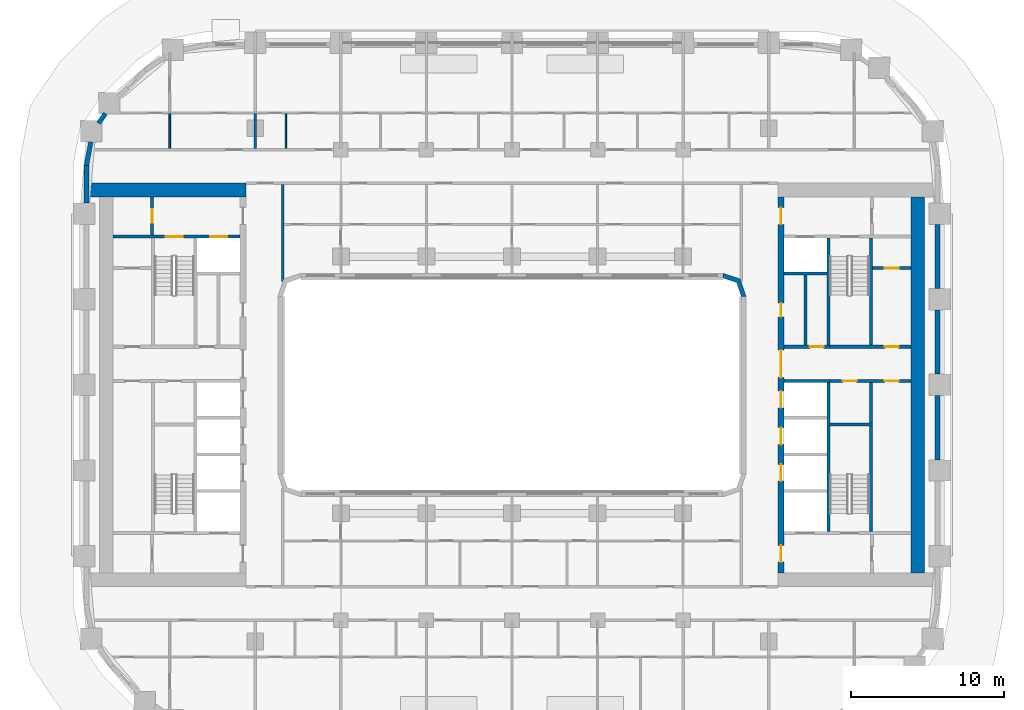
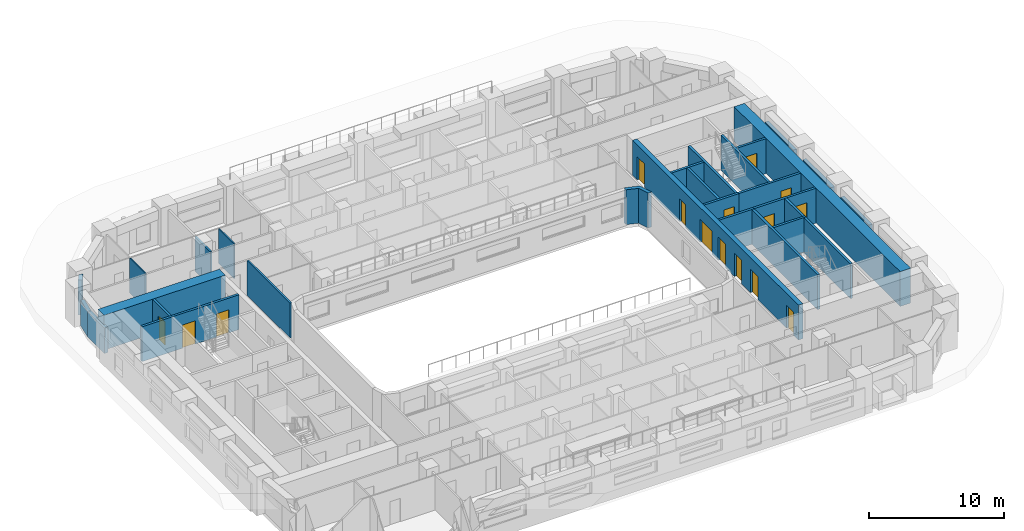
# One storey, part 7 of 18: 29 walls, 15 doors, 15 openings.
"""IFC4 building model written with IfcOpenShell, lengths in metres."""

from ifc_helpers import new_model, si_unit, direction, frame, frame_2d, origin, place, context, subcontext, project, spatial, polyline, rectangle, outline, extrude, material, layer, layer_set, type_object, element, fill, save


model = new_model("IFC4")

# Units and contexts
model_context = context("Model", 3, precision=1e-05, world=origin(), true_north=direction((0.0, 1.0)))
body_context = subcontext(model_context, "Body", "Model", "MODEL_VIEW")
ifc_project = project(units=[si_unit("LENGTHUNIT", "METRE"), si_unit("AREAUNIT", "SQUARE_METRE"), si_unit("VOLUMEUNIT", "CUBIC_METRE"), si_unit("PLANEANGLEUNIT", "RADIAN"), si_unit("MASSUNIT", "GRAM", prefix="KILO")], contexts=[model_context])

# Site, building, storey
site_placement = place(None, origin())
site = spatial("IfcSite", under=ifc_project, at=site_placement, CompositionType="ELEMENT")
building_placement = place(site_placement, origin())
building = spatial("IfcBuilding", under=site, at=building_placement, Name="Kiln Ring Residences", CompositionType="ELEMENT")
storey_placement = place(building_placement, frame((0.0, 0.0, 69.0)))
storey = spatial("IfcBuildingStorey", under=building, at=storey_placement, Name="L17", CompositionType="ELEMENT", Elevation=69.0)

# Wall, opening, door
ifc_material_1 = material(Name="Gypsum board on steel studs", Category="steel")
ifc_layer_1 = layer(ifc_material_1, 0.199951171875)
ifc_layer_set_1 = layer_set([ifc_layer_1], Name="CORE-PARTITION-200")
wall_type_1 = type_object("IfcWallType", Name="CORE-PARTITION-200", PredefinedType="PARTITIONING", material=ifc_layer_set_1)
wall_1_placement = place(storey_placement, frame((-23.550048828125, 9.800048828125, 0.0), z_axis=(0.0, 0.0, 1.0), x_axis=(0.0, 1.0, 0.0)))
wall_1 = element("IfcWall", 1, at=wall_1_placement, inside=storey, type_object=wall_type_1, Name="Core partition west L17 4", PredefinedType="PARTITIONING", context=body_context, shape_type="SweptSolid", body=[
    extrude(rectangle(XDim=2.5, YDim=0.199951171875, at=frame_2d((1.25, 0.0))), origin(), (0.0, 0.0, 1.0), 3.14990234375),
])
opening_1_placement = place(wall_1_placement, frame((0.800048828125, 0.0, 0.0)))
opening_1 = element("IfcOpeningElement", 2, at=opening_1_placement, cuts=wall_1, Name="Opening L17-CW10", PredefinedType="OPENING", context=body_context, shape_type="SweptSolid", body=[
    extrude(rectangle(XDim=0.89990234375, YDim=2.10009765625, at=frame_2d((0.449951171875, 1.050048828125))), frame((0.0, 0.10986328125, 0.0), z_axis=(0.0, -1.0, 0.0), x_axis=(1.0, 0.0, 0.0)), (0.0, 0.0, 1.0), 0.219970703125),
])
ifc_material_2 = material(Name="Steel door leaf", Category="steel")
door_type_1 = type_object("IfcDoorType", Name="CORE-DOOR-ROOM", OperationType="SINGLE_SWING_LEFT", PredefinedType="DOOR", material=ifc_material_2)
door_1_placement = place(opening_1_placement, origin())
door_1 = element("IfcDoor", 3, at=door_1_placement, inside=storey, type_object=door_type_1, Name="Fire riser room L17-CW10", OperationType="SINGLE_SWING_RIGHT", OverallHeight=2.10009765625, OverallWidth=0.89990234375, PredefinedType="DOOR", context=body_context, shape_type="SweptSolid", body=[
    extrude(rectangle(XDim=0.89990234375, YDim=2.10009765625, at=frame_2d((0.449951171875, 1.050048828125))), frame((0.0, 0.02490234375, 0.0), z_axis=(0.0, -1.0, 0.0), x_axis=(1.0, 0.0, 0.0)), (0.0, 0.0, 1.0), 0.050048828125),
])
fill(opening_1, door_1)

# Wall
wall_2_placement = place(storey_placement, frame((23.5, -2.5, 0.0), z_axis=(0.0, 0.0, 1.0), x_axis=(0.0, 1.0, 0.0)))
element("IfcWall", 4, at=wall_2_placement, inside=storey, type_object=wall_type_1, Name="Core partition east L17 1", PredefinedType="PARTITIONING", context=body_context, shape_type="SweptSolid", body=[
    extrude(rectangle(XDim=2.64990234375, YDim=0.199951171875, at=frame_2d((1.324951171875, 0.0))), origin(), (0.0, 0.0, 1.0), 3.14990234375),
])

# Wall, openings, doors
wall_3_placement = place(storey_placement, frame((20.800048828125, 0.25, 0.0), z_axis=(0.0, 0.0, 1.0), x_axis=(1.0, 0.0, 0.0)))
wall_3 = element("IfcWall", 5, at=wall_3_placement, inside=storey, type_object=wall_type_1, Name="Core partition east L17 2", PredefinedType="PARTITIONING", context=body_context, shape_type="SweptSolid", body=[
    extrude(rectangle(XDim=5.300048828125, YDim=0.199951171875, at=frame_2d((2.64990234375, 0.0))), origin(), (0.0, 0.0, 1.0), 3.14990234375),
])
opening_2_placement = place(wall_3_placement, frame((0.85009765625, 0.0, 0.0)))
opening_2 = element("IfcOpeningElement", 6, at=opening_2_placement, cuts=wall_3, Name="Opening L17-CE15", PredefinedType="OPENING", context=body_context, shape_type="SweptSolid", body=[
    extrude(rectangle(XDim=0.89990234375, YDim=2.10009765625, at=frame_2d((0.449951171875, 1.050048828125))), frame((0.0, 0.10986328125, 0.0), z_axis=(0.0, -1.0, 0.0), x_axis=(1.0, 0.0, 0.0)), (0.0, 0.0, 1.0), 0.219970703125),
])
opening_3_placement = place(wall_3_placement, frame((3.60009765625, 0.0, 0.0)))
opening_3 = element("IfcOpeningElement", 7, at=opening_3_placement, cuts=wall_3, Name="Opening L17-CE16", PredefinedType="OPENING", context=body_context, shape_type="SweptSolid", body=[
    extrude(rectangle(XDim=0.89990234375, YDim=2.10009765625, at=frame_2d((0.449951171875, 1.050048828125))), frame((0.0, 0.10986328125, 0.0), z_axis=(0.0, -1.0, 0.0), x_axis=(1.0, 0.0, 0.0)), (0.0, 0.0, 1.0), 0.219970703125),
])
door_2_placement = place(opening_2_placement, origin())
door_2 = element("IfcDoor", 8, at=door_2_placement, inside=storey, type_object=door_type_1, Name="Refuse and recycling room L17-CE15", OperationType="SINGLE_SWING_RIGHT", OverallHeight=2.10009765625, OverallWidth=0.89990234375, PredefinedType="DOOR", context=body_context, shape_type="SweptSolid", body=[
    extrude(rectangle(XDim=0.89990234375, YDim=2.10009765625, at=frame_2d((0.449951171875, 1.050048828125))), frame((0.0, 0.02490234375, 0.0), z_axis=(0.0, -1.0, 0.0), x_axis=(1.0, 0.0, 0.0)), (0.0, 0.0, 1.0), 0.050048828125),
])
fill(opening_2, door_2)
door_3_placement = place(opening_3_placement, origin())
door_3 = element("IfcDoor", 9, at=door_3_placement, inside=storey, type_object=door_type_1, Name="Water tank room L17-CE16", OperationType="SINGLE_SWING_LEFT", OverallHeight=2.10009765625, OverallWidth=0.89990234375, PredefinedType="DOOR", context=body_context, shape_type="SweptSolid", body=[
    extrude(rectangle(XDim=0.89990234375, YDim=2.10009765625, at=frame_2d((0.449951171875, 1.050048828125))), frame((0.0, 0.02490234375, 0.0), z_axis=(0.0, -1.0, 0.0), x_axis=(1.0, 0.0, 0.0)), (0.0, 0.0, 1.0), 0.050048828125),
])
fill(opening_3, door_3)

# Wall
wall_4_placement = place(storey_placement, frame((19.199951171875, 2.60009765625, 0.0), z_axis=(0.0, 0.0, 1.0), x_axis=(0.0, 1.0, 0.0)))
element("IfcWall", 10, at=wall_4_placement, inside=storey, type_object=wall_type_1, Name="Core partition east L17 3", PredefinedType="PARTITIONING", context=body_context, shape_type="SweptSolid", body=[
    extrude(rectangle(XDim=4.599853515625, YDim=0.199951171875, at=frame_2d((2.2998046875, 0.0))), origin(), (0.0, 0.0, 1.0), 3.14990234375),
])

# Wall, opening, door
wall_5_placement = place(storey_placement, frame((23.60009765625, 7.639892578125, 0.0), z_axis=(0.0, 0.0, 1.0), x_axis=(1.0, 0.0, 0.0)))
wall_5 = element("IfcWall", 11, at=wall_5_placement, inside=storey, type_object=wall_type_1, Name="Core partition east L17 6", PredefinedType="PARTITIONING", context=body_context, shape_type="SweptSolid", body=[
    extrude(rectangle(XDim=2.5, YDim=0.199951171875, at=frame_2d((1.25, 0.0))), origin(), (0.0, 0.0, 1.0), 3.14990234375),
])
opening_4_placement = place(wall_5_placement, frame((0.800048828125, 0.0, 0.0)))
opening_4 = element("IfcOpeningElement", 12, at=opening_4_placement, cuts=wall_5, Name="Opening L17-CE17", PredefinedType="OPENING", context=body_context, shape_type="SweptSolid", body=[
    extrude(rectangle(XDim=0.89990234375, YDim=2.10009765625, at=frame_2d((0.449951171875, 1.050048828125))), frame((0.0, 0.10986328125, 0.0), z_axis=(0.0, -1.0, 0.0), x_axis=(1.0, 0.0, 0.0)), (0.0, 0.0, 1.0), 0.219970703125),
])
door_4_placement = place(opening_4_placement, origin())
door_4 = element("IfcDoor", 13, at=door_4_placement, inside=storey, type_object=door_type_1, Name="UPS room L17-CE17", OperationType="SINGLE_SWING_LEFT", OverallHeight=2.10009765625, OverallWidth=0.89990234375, PredefinedType="DOOR", context=body_context, shape_type="SweptSolid", body=[
    extrude(rectangle(XDim=0.89990234375, YDim=2.10009765625, at=frame_2d((0.449951171875, 1.050048828125))), frame((0.0, 0.02490234375, 0.0), z_axis=(0.0, -1.0, 0.0), x_axis=(1.0, 0.0, 0.0)), (0.0, 0.0, 1.0), 0.050048828125),
])
fill(opening_4, door_4)

# Wall
ifc_material_3 = material(Name="Gypsum shaft wall system")
ifc_layer_2 = layer(ifc_material_3, 0.199951171875)
ifc_layer_set_2 = layer_set([ifc_layer_2], Name="CORE-SHAFT-WALL-200")
wall_type_2 = type_object("IfcWallType", Name="CORE-SHAFT-WALL-200", PredefinedType="PARTITIONING", material=ifc_layer_set_2)
wall_6_placement = place(storey_placement, frame((17.800048828125, 0.25, 0.0), z_axis=(0.0, 0.0, 1.0), x_axis=(1.0, 0.0, 0.0)))
element("IfcWall", 14, at=wall_6_placement, inside=storey, type_object=wall_type_2, Name="Core partition east L17 10", PredefinedType="PARTITIONING", context=body_context, shape_type="SweptSolid", body=[
    extrude(rectangle(XDim=3.0, YDim=0.199951171875, at=frame_2d((1.5, 0.0))), origin(), (0.0, 0.0, 1.0), 3.14990234375),
])

# Wall, opening, door
wall_7_placement = place(storey_placement, frame((17.800048828125, 2.5, 0.0), z_axis=(0.0, 0.0, 1.0), x_axis=(1.0, 0.0, 0.0)))
wall_7 = element("IfcWall", 15, at=wall_7_placement, inside=storey, type_object=wall_type_2, Name="Core partition east L17 11", PredefinedType="PARTITIONING", context=body_context, shape_type="SweptSolid", body=[
    extrude(rectangle(XDim=3.0, YDim=0.199951171875, at=frame_2d((1.5, 0.0))), origin(), (0.0, 0.0, 1.0), 3.14990234375),
])
opening_5_placement = place(wall_7_placement, frame((1.699951171875, 0.0, 0.0)))
opening_5 = element("IfcOpeningElement", 16, at=opening_5_placement, cuts=wall_7, Name="Opening L17-CE06", PredefinedType="OPENING", context=body_context, shape_type="SweptSolid", body=[
    extrude(rectangle(XDim=0.89990234375, YDim=2.10009765625, at=frame_2d((0.449951171875, 1.050048828125))), frame((0.0, 0.10986328125, 0.0), z_axis=(0.0, -1.0, 0.0), x_axis=(1.0, 0.0, 0.0)), (0.0, 0.0, 1.0), 0.219970703125),
])
door_5_placement = place(opening_5_placement, origin())
door_5 = element("IfcDoor", 17, at=door_5_placement, inside=storey, type_object=door_type_1, Name="Service store L17-CE06", OperationType="SINGLE_SWING_RIGHT", OverallHeight=2.10009765625, OverallWidth=0.89990234375, PredefinedType="DOOR", context=body_context, shape_type="SweptSolid", body=[
    extrude(rectangle(XDim=0.89990234375, YDim=2.10009765625, at=frame_2d((0.449951171875, 1.050048828125))), frame((0.0, 0.02490234375, 0.0), z_axis=(0.0, -1.0, 0.0), x_axis=(1.0, 0.0, 0.0)), (0.0, 0.0, 1.0), 0.050048828125),
])
fill(opening_5, door_5)

# Wall
wall_8_placement = place(storey_placement, frame((17.800048828125, 7.300048828125, 0.0), z_axis=(0.0, 0.0, 1.0), x_axis=(1.0, 0.0, 0.0)))
element("IfcWall", 18, at=wall_8_placement, inside=storey, type_object=wall_type_2, Name="Core partition east L17 12", PredefinedType="PARTITIONING", context=body_context, shape_type="SweptSolid", body=[
    extrude(rectangle(XDim=2.800048828125, YDim=0.199951171875, at=frame_2d((1.39990234375, 0.0))), origin(), (0.0, 0.0, 1.0), 3.14990234375),
])

# Wall, openings, doors
ifc_material_4 = material(Name="Concrete C40/50", Category="concrete")
ifc_layer_3 = layer(ifc_material_4, 0.199951171875)
ifc_layer_set_3 = layer_set([ifc_layer_3], Name="CORE-WALL-RC200")
wall_type_3 = type_object("IfcWallType", Name="CORE-WALL-RC200", PredefinedType="SHEAR", material=ifc_layer_set_3)
wall_9_placement = place(storey_placement, frame((-17.800048828125, 9.699951171875, 0.0), z_axis=(0.0, 0.0, 1.0), x_axis=(-1.0, 0.0, 0.0)))
wall_9 = element("IfcWall", 19, at=wall_9_placement, inside=storey, type_object=wall_type_3, Name="Core wall west L17 9", PredefinedType="SHEAR", context=body_context, shape_type="SweptSolid", body=[
    extrude(rectangle(XDim=8.300048828125, YDim=0.199951171875, at=frame_2d((4.14990234375, 0.0))), origin(), (0.0, 0.0, 1.0), 3.14990234375),
])
opening_6_placement = place(wall_9_placement, frame((0.85009765625, 0.0, 0.0)))
opening_6 = element("IfcOpeningElement", 20, at=opening_6_placement, cuts=wall_9, Name="Opening L17-CW07", PredefinedType="OPENING", context=body_context, shape_type="SweptSolid", body=[
    extrude(rectangle(XDim=1.10009765625, YDim=2.10009765625, at=frame_2d((0.550048828125, 1.050048828125))), frame((0.0, 0.10986328125, 0.0), z_axis=(0.0, -1.0, 0.0), x_axis=(1.0, 0.0, 0.0)), (0.0, 0.0, 1.0), 0.219970703125),
])
opening_7_placement = place(wall_9_placement, frame((3.75, 0.0, 0.0)))
opening_7 = element("IfcOpeningElement", 21, at=opening_7_placement, cuts=wall_9, Name="Opening L17-CW12", PredefinedType="OPENING", context=body_context, shape_type="SweptSolid", body=[
    extrude(rectangle(XDim=1.10009765625, YDim=2.10009765625, at=frame_2d((0.550048828125, 1.050048828125))), frame((0.0, 0.10986328125, 0.0), z_axis=(0.0, -1.0, 0.0), x_axis=(1.0, 0.0, 0.0)), (0.0, 0.0, 1.0), 0.219970703125),
])
ifc_material_5 = material(Name="Steel door leaf", Category="steel")
door_type_2 = type_object("IfcDoorType", Name="CORE-DOOR-LD", OperationType="DOUBLE_DOOR_SLIDING", PredefinedType="DOOR", material=ifc_material_5)
door_6_placement = place(opening_6_placement, origin())
door_6 = element("IfcDoor", 22, at=door_6_placement, inside=storey, type_object=door_type_2, Name="LD W-FF L17-CW07", OperationType="DOUBLE_DOOR_SLIDING", OverallHeight=2.10009765625, OverallWidth=1.10009765625, PredefinedType="DOOR", context=body_context, shape_type="SweptSolid", body=[
    extrude(rectangle(XDim=1.10009765625, YDim=2.10009765625, at=frame_2d((0.550048828125, 1.050048828125))), frame((0.0, 0.02490234375, 0.0), z_axis=(0.0, -1.0, 0.0), x_axis=(1.0, 0.0, 0.0)), (0.0, 0.0, 1.0), 0.050048828125),
])
fill(opening_6, door_6)
ifc_material_6 = material(Name="Steel door leaf", Category="steel")
door_type_3 = type_object("IfcDoorType", Name="CORE-DOOR-STAIR", OperationType="SINGLE_SWING_LEFT", PredefinedType="DOOR", material=ifc_material_6)
door_7_placement = place(opening_7_placement, origin())
door_7 = element("IfcDoor", 23, at=door_7_placement, inside=storey, type_object=door_type_3, Name="Stair W-STN L17-CW12", OperationType="SINGLE_SWING_RIGHT", OverallHeight=2.10009765625, OverallWidth=1.10009765625, PredefinedType="DOOR", context=body_context, shape_type="SweptSolid", body=[
    extrude(rectangle(XDim=1.10009765625, YDim=2.10009765625, at=frame_2d((0.550048828125, 1.050048828125))), frame((0.0, 0.02490234375, 0.0), z_axis=(0.0, -1.0, 0.0), x_axis=(1.0, 0.0, 0.0)), (0.0, 0.0, 1.0), 0.050048828125),
])
fill(opening_7, door_7)

# Walls
wall_10_placement = place(storey_placement, frame((20.699951171875, 2.60009765625, 0.0), z_axis=(0.0, 0.0, 1.0), x_axis=(0.0, 1.0, 0.0)))
element("IfcWall", 24, at=wall_10_placement, inside=storey, type_object=wall_type_3, Name="Core wall east L17 1", PredefinedType="SHEAR", context=body_context, shape_type="SweptSolid", body=[
    extrude(rectangle(XDim=7.0, YDim=0.199951171875, at=frame_2d((3.5, 0.0))), origin(), (0.0, 0.0, 1.0), 3.14990234375),
])
wall_11_placement = place(storey_placement, frame((20.699951171875, -9.60009765625, 0.0), z_axis=(0.0, 0.0, 1.0), x_axis=(0.0, 1.0, 0.0)))
element("IfcWall", 25, at=wall_11_placement, inside=storey, type_object=wall_type_3, Name="Core wall east L17 2", PredefinedType="SHEAR", context=body_context, shape_type="SweptSolid", body=[
    extrude(rectangle(XDim=9.75, YDim=0.199951171875, at=frame_2d((4.875, 0.0))), origin(), (0.0, 0.0, 1.0), 3.14990234375),
])

# Wall, opening, door
wall_12_placement = place(storey_placement, frame((20.800048828125, 2.5, 0.0), z_axis=(0.0, 0.0, 1.0), x_axis=(1.0, 0.0, 0.0)))
wall_12 = element("IfcWall", 26, at=wall_12_placement, inside=storey, type_object=wall_type_3, Name="Core wall east L17 3", PredefinedType="SHEAR", context=body_context, shape_type="SweptSolid", body=[
    extrude(rectangle(XDim=5.300048828125, YDim=0.199951171875, at=frame_2d((2.64990234375, 0.0))), origin(), (0.0, 0.0, 1.0), 3.14990234375),
])
opening_8_placement = place(wall_12_placement, frame((3.60009765625, 0.0, 0.0)))
opening_8 = element("IfcOpeningElement", 27, at=opening_8_placement, cuts=wall_12, Name="Opening L17-CE18", PredefinedType="OPENING", context=body_context, shape_type="SweptSolid", body=[
    extrude(rectangle(XDim=0.89990234375, YDim=2.10009765625, at=frame_2d((0.449951171875, 1.050048828125))), frame((0.0, 0.10986328125, 0.0), z_axis=(0.0, -1.0, 0.0), x_axis=(1.0, 0.0, 0.0)), (0.0, 0.0, 1.0), 0.219970703125),
])
door_8_placement = place(opening_8_placement, origin())
door_8 = element("IfcDoor", 28, at=door_8_placement, inside=storey, type_object=door_type_1, Name="Electrical plant room L17-CE18", OperationType="SINGLE_SWING_RIGHT", OverallHeight=2.10009765625, OverallWidth=0.89990234375, PredefinedType="DOOR", context=body_context, shape_type="SweptSolid", body=[
    extrude(rectangle(XDim=0.89990234375, YDim=2.10009765625, at=frame_2d((0.449951171875, 1.050048828125))), frame((0.0, 0.02490234375, 0.0), z_axis=(0.0, -1.0, 0.0), x_axis=(1.0, 0.0, 0.0)), (0.0, 0.0, 1.0), 0.050048828125),
])
fill(opening_8, door_8)

# Walls
wall_13_placement = place(storey_placement, frame((23.5, 2.60009765625, 0.0), z_axis=(0.0, 0.0, 1.0), x_axis=(0.0, 1.0, 0.0)))
element("IfcWall", 29, at=wall_13_placement, inside=storey, type_object=wall_type_3, Name="Core wall east L17 10", PredefinedType="SHEAR", context=body_context, shape_type="SweptSolid", body=[
    extrude(rectangle(XDim=7.0, YDim=0.199951171875, at=frame_2d((3.5, 0.0))), origin(), (0.0, 0.0, 1.0), 3.14990234375),
])
wall_14_placement = place(storey_placement, frame((23.5, -9.60009765625, 0.0), z_axis=(0.0, 0.0, 1.0), x_axis=(0.0, 1.0, 0.0)))
element("IfcWall", 30, at=wall_14_placement, inside=storey, type_object=wall_type_3, Name="Core wall east L17 11", PredefinedType="SHEAR", context=body_context, shape_type="SweptSolid", body=[
    extrude(rectangle(XDim=6.900146484375, YDim=0.199951171875, at=frame_2d((3.4501953125, 0.0))), origin(), (0.0, 0.0, 1.0), 3.14990234375),
])
wall_15_placement = place(storey_placement, frame((20.800048828125, -2.60009765625, 0.0), z_axis=(0.0, 0.0, 1.0), x_axis=(1.0, 0.0, 0.0)))
element("IfcWall", 31, at=wall_15_placement, inside=storey, type_object=wall_type_3, Name="Core wall east L17 12", PredefinedType="SHEAR", context=body_context, shape_type="SweptSolid", body=[
    extrude(rectangle(XDim=2.800048828125, YDim=0.199951171875, at=frame_2d((1.39990234375, 0.0))), origin(), (0.0, 0.0, 1.0), 3.14990234375),
])

# Wall, openings, doors
ifc_material_7 = material(Name="Concrete C60/75", Category="concrete")
ifc_layer_4 = layer(ifc_material_7, 0.39990234375)
ifc_layer_set_4 = layer_set([ifc_layer_4], Name="CORE-WALL-RC400")
wall_type_4 = type_object("IfcWallType", Name="CORE-WALL-RC400", PredefinedType="SHEAR", material=ifc_layer_set_4)
wall_16_placement = place(storey_placement, frame((17.60009765625, -12.300048828125, 0.0), z_axis=(0.0, 0.0, 1.0), x_axis=(0.0, 1.0, 0.0)))
wall_16 = element("IfcWall", 32, at=wall_16_placement, inside=storey, type_object=wall_type_4, Name="Core wall east L17 6", PredefinedType="SHEAR", context=body_context, shape_type="SweptSolid", body=[
    extrude(rectangle(XDim=24.60009765625, YDim=0.39990234375, at=frame_2d((12.300048828125, 0.0))), origin(), (0.0, 0.0, 1.0), 3.14990234375),
])
opening_9_placement = place(wall_16_placement, frame((6.0, 0.0, 0.0)))
opening_9 = element("IfcOpeningElement", 33, at=opening_9_placement, cuts=wall_16, Name="Opening L17-CE02", PredefinedType="OPENING", context=body_context, shape_type="SweptSolid", body=[
    extrude(rectangle(XDim=1.10009765625, YDim=2.10009765625, at=frame_2d((0.550048828125, 1.050048828125))), frame((0.0, 0.2099609375, 0.0), z_axis=(0.0, -1.0, 0.0), x_axis=(1.0, 0.0, 0.0)), (0.0, 0.0, 1.0), 0.419921875),
])
opening_10_placement = place(wall_16_placement, frame((8.39990234375, 0.0, 0.0)))
opening_10 = element("IfcOpeningElement", 34, at=opening_10_placement, cuts=wall_16, Name="Opening L17-CE03", PredefinedType="OPENING", context=body_context, shape_type="SweptSolid", body=[
    extrude(rectangle(XDim=1.10009765625, YDim=2.10009765625, at=frame_2d((0.550048828125, 1.050048828125))), frame((0.0, 0.2099609375, 0.0), z_axis=(0.0, -1.0, 0.0), x_axis=(1.0, 0.0, 0.0)), (0.0, 0.0, 1.0), 0.419921875),
])
opening_11_placement = place(wall_16_placement, frame((10.800048828125, 0.0, 0.0)))
opening_11 = element("IfcOpeningElement", 35, at=opening_11_placement, cuts=wall_16, Name="Opening L17-CE04", PredefinedType="OPENING", context=body_context, shape_type="SweptSolid", body=[
    extrude(rectangle(XDim=1.10009765625, YDim=2.10009765625, at=frame_2d((0.550048828125, 1.050048828125))), frame((0.0, 0.2099609375, 0.0), z_axis=(0.0, -1.0, 0.0), x_axis=(1.0, 0.0, 0.0)), (0.0, 0.0, 1.0), 0.419921875),
])
opening_12_placement = place(wall_16_placement, frame((16.75, 0.0, 0.0)))
opening_12 = element("IfcOpeningElement", 36, at=opening_12_placement, cuts=wall_16, Name="Opening L17-CE05", PredefinedType="OPENING", context=body_context, shape_type="SweptSolid", body=[
    extrude(rectangle(XDim=0.89990234375, YDim=2.10009765625, at=frame_2d((0.449951171875, 1.050048828125))), frame((0.0, 0.2099609375, 0.0), z_axis=(0.0, -1.0, 0.0), x_axis=(1.0, 0.0, 0.0)), (0.0, 0.0, 1.0), 0.419921875),
])
opening_13_placement = place(wall_16_placement, frame((22.800048828125, 0.0, 0.0)))
opening_13 = element("IfcOpeningElement", 37, at=opening_13_placement, cuts=wall_16, Name="Opening L17-CE08", PredefinedType="OPENING", context=body_context, shape_type="SweptSolid", body=[
    extrude(rectangle(XDim=1.10009765625, YDim=2.10009765625, at=frame_2d((0.550048828125, 1.050048828125))), frame((0.0, 0.2099609375, 0.0), z_axis=(0.0, -1.0, 0.0), x_axis=(1.0, 0.0, 0.0)), (0.0, 0.0, 1.0), 0.419921875),
])
opening_14_placement = place(wall_16_placement, frame((0.699951171875, 0.0, 0.0)))
opening_14 = element("IfcOpeningElement", 38, at=opening_14_placement, cuts=wall_16, Name="Opening L17-CE09", PredefinedType="OPENING", context=body_context, shape_type="SweptSolid", body=[
    extrude(rectangle(XDim=1.10009765625, YDim=2.10009765625, at=frame_2d((0.550048828125, 1.050048828125))), frame((0.0, 0.2099609375, 0.0), z_axis=(0.0, -1.0, 0.0), x_axis=(1.0, 0.0, 0.0)), (0.0, 0.0, 1.0), 0.419921875),
])
opening_15_placement = place(wall_16_placement, frame((12.77490234375, 0.0, 0.0)))
opening_15 = element("IfcOpeningElement", 39, at=opening_15_placement, cuts=wall_16, Name="Opening L17-CE14", PredefinedType="OPENING", context=body_context, shape_type="SweptSolid", body=[
    extrude(rectangle(XDim=1.800048828125, YDim=2.10009765625, at=frame_2d((0.89990234375, 1.050048828125))), frame((0.0, 0.2099609375, 0.0), z_axis=(0.0, -1.0, 0.0), x_axis=(1.0, 0.0, 0.0)), (0.0, 0.0, 1.0), 0.419921875),
])
door_9_placement = place(opening_9_placement, origin())
door_9 = element("IfcDoor", 40, at=door_9_placement, inside=storey, type_object=door_type_2, Name="LD E-L1 L17-CE02", OperationType="DOUBLE_DOOR_SLIDING", OverallHeight=2.10009765625, OverallWidth=1.10009765625, PredefinedType="DOOR", context=body_context, shape_type="SweptSolid", body=[
    extrude(rectangle(XDim=1.10009765625, YDim=2.10009765625, at=frame_2d((0.550048828125, 1.050048828125))), frame((0.0, 0.02490234375, 0.0), z_axis=(0.0, -1.0, 0.0), x_axis=(1.0, 0.0, 0.0)), (0.0, 0.0, 1.0), 0.050048828125),
])
fill(opening_9, door_9)
door_10_placement = place(opening_10_placement, origin())
door_10 = element("IfcDoor", 41, at=door_10_placement, inside=storey, type_object=door_type_2, Name="LD E-L2 L17-CE03", OperationType="DOUBLE_DOOR_SLIDING", OverallHeight=2.10009765625, OverallWidth=1.10009765625, PredefinedType="DOOR", context=body_context, shape_type="SweptSolid", body=[
    extrude(rectangle(XDim=1.10009765625, YDim=2.10009765625, at=frame_2d((0.550048828125, 1.050048828125))), frame((0.0, 0.02490234375, 0.0), z_axis=(0.0, -1.0, 0.0), x_axis=(1.0, 0.0, 0.0)), (0.0, 0.0, 1.0), 0.050048828125),
])
fill(opening_10, door_10)
door_11_placement = place(opening_11_placement, origin())
door_11 = element("IfcDoor", 42, at=door_11_placement, inside=storey, type_object=door_type_2, Name="LD E-L3 L17-CE04", OperationType="DOUBLE_DOOR_SLIDING", OverallHeight=2.10009765625, OverallWidth=1.10009765625, PredefinedType="DOOR", context=body_context, shape_type="SweptSolid", body=[
    extrude(rectangle(XDim=1.10009765625, YDim=2.10009765625, at=frame_2d((0.550048828125, 1.050048828125))), frame((0.0, 0.02490234375, 0.0), z_axis=(0.0, -1.0, 0.0), x_axis=(1.0, 0.0, 0.0)), (0.0, 0.0, 1.0), 0.050048828125),
])
fill(opening_11, door_11)
ifc_material_8 = material(Name="Steel door leaf", Category="steel")
door_type_4 = type_object("IfcDoorType", Name="CORE-DOOR-LOBBY", OperationType="SINGLE_SWING_LEFT", PredefinedType="DOOR", material=ifc_material_8)
door_12_placement = place(opening_13_placement, origin())
door_12 = element("IfcDoor", 43, at=door_12_placement, inside=storey, type_object=door_type_4, Name="FFL L17-CE08", OperationType="SINGLE_SWING_RIGHT", OverallHeight=2.10009765625, OverallWidth=1.10009765625, PredefinedType="DOOR", context=body_context, shape_type="SweptSolid", body=[
    extrude(rectangle(XDim=1.10009765625, YDim=2.10009765625, at=frame_2d((0.550048828125, 1.050048828125))), frame((0.0, 0.02490234375, 0.0), z_axis=(0.0, -1.0, 0.0), x_axis=(1.0, 0.0, 0.0)), (0.0, 0.0, 1.0), 0.050048828125),
])
fill(opening_13, door_12)
door_13_placement = place(opening_14_placement, origin())
door_13 = element("IfcDoor", 44, at=door_13_placement, inside=storey, type_object=door_type_4, Name="SVL L17-CE09", OperationType="SINGLE_SWING_LEFT", OverallHeight=2.10009765625, OverallWidth=1.10009765625, PredefinedType="DOOR", context=body_context, shape_type="SweptSolid", body=[
    extrude(rectangle(XDim=1.10009765625, YDim=2.10009765625, at=frame_2d((0.550048828125, 1.050048828125))), frame((0.0, 0.02490234375, 0.0), z_axis=(0.0, -1.0, 0.0), x_axis=(1.0, 0.0, 0.0)), (0.0, 0.0, 1.0), 0.050048828125),
])
fill(opening_14, door_13)
ifc_material_9 = material(Name="Steel door leaf", Category="steel")
door_type_5 = type_object("IfcDoorType", Name="CORE-DOOR-PASS", OperationType="DOUBLE_DOOR_SINGLE_SWING", PredefinedType="DOOR", material=ifc_material_9)
door_14_placement = place(opening_15_placement, origin())
door_14 = element("IfcDoor", 45, at=door_14_placement, inside=storey, type_object=door_type_5, Name="Core passage L17-CE14", OperationType="DOUBLE_DOOR_SINGLE_SWING", OverallHeight=2.10009765625, OverallWidth=1.800048828125, PredefinedType="DOOR", context=body_context, shape_type="SweptSolid", body=[
    extrude(rectangle(XDim=1.800048828125, YDim=2.10009765625, at=frame_2d((0.89990234375, 1.050048828125))), frame((0.0, 0.02490234375, 0.0), z_axis=(0.0, -1.0, 0.0), x_axis=(1.0, 0.0, 0.0)), (0.0, 0.0, 1.0), 0.050048828125),
])
fill(opening_15, door_14)
door_15_placement = place(opening_12_placement, origin())
door_15 = element("IfcDoor", 46, at=door_15_placement, inside=storey, type_object=door_type_1, Name="Linen store L17-CE05", OperationType="SINGLE_SWING_RIGHT", OverallHeight=2.10009765625, OverallWidth=0.89990234375, PredefinedType="DOOR", context=body_context, shape_type="SweptSolid", body=[
    extrude(rectangle(XDim=0.89990234375, YDim=2.10009765625, at=frame_2d((0.449951171875, 1.050048828125))), frame((0.0, 0.02490234375, 0.0), z_axis=(0.0, -1.0, 0.0), x_axis=(1.0, 0.0, 0.0)), (0.0, 0.0, 1.0), 0.050048828125),
])
fill(opening_12, door_15)

# Walls
ifc_material_10 = material(Name="Concrete C60/75", Category="concrete")
ifc_layer_5 = layer(ifc_material_10, 0.89990234375)
ifc_layer_set_5 = layer_set([ifc_layer_5], Name="CORE-WALL-RC900")
wall_type_5 = type_object("IfcWallType", Name="CORE-WALL-RC900", PredefinedType="SHEAR", material=ifc_layer_set_5)
wall_17_placement = place(storey_placement, frame((-17.39990234375, 12.75, 0.0), z_axis=(0.0, 0.0, 1.0), x_axis=(-1.0, 0.0, 0.0)))
element("IfcWall", 47, at=wall_17_placement, inside=storey, type_object=wall_type_5, Name="Core wall west L17 4", PredefinedType="SHEAR", context=body_context, shape_type="SweptSolid", body=[
    extrude(rectangle(XDim=10.400146484375, YDim=0.89990234375, at=frame_2d((5.2001953125, 0.0))), origin(), (0.0, 0.0, 1.0), 3.14990234375),
])
wall_18_placement = place(storey_placement, frame((26.550048828125, -12.300048828125, 0.0), z_axis=(0.0, 0.0, 1.0), x_axis=(0.0, 1.0, 0.0)))
element("IfcWall", 48, at=wall_18_placement, inside=storey, type_object=wall_type_5, Name="Core wall east L17 7", PredefinedType="SHEAR", context=body_context, shape_type="SweptSolid", body=[
    extrude(rectangle(XDim=24.60009765625, YDim=0.89990234375, at=frame_2d((12.300048828125, 0.0))), origin(), (0.0, 0.0, 1.0), 3.14990234375),
])
ifc_material_11 = material(Name="Brick masonry, dark clay brick", Category="masonry")
ifc_layer_6 = layer(ifc_material_11, 0.300048828125)
ifc_layer_set_6 = layer_set([ifc_layer_6], Name="EW-300 BRICK WALL")
wall_type_6 = type_object("IfcWallType", Name="EW-300 BRICK WALL", PredefinedType="SOLIDWALL", material=ifc_layer_set_6)
for number, where, z_axis, x_axis, name in (
    (49, (27.85009765625, -4.89990234375, 0.0), (0.0, 0.0, 1.0), (0.0, 1.0, 0.0), "Facade wall L17 19"),
    (50, (27.85009765625, 0.699951171875, 0.0), (0.0, 0.0, 1.0), (0.0, 1.0, 0.0), "Facade wall L17 20"),
    (51, (27.85009765625, 6.300048828125, 0.0), (0.0, 0.0, 1.0), (0.0, 1.0, 0.0), "Facade wall L17 21"),
):
    element("IfcWall", number, at=place(storey_placement, frame(where, z_axis=z_axis, x_axis=x_axis)), inside=storey, type_object=wall_type_6, Name=name, PredefinedType="SOLIDWALL", context=body_context, shape_type="SweptSolid", body=[
        extrude(rectangle(XDim=4.199951171875, YDim=0.300048828125, at=frame_2d((2.10009765625, 0.0))), origin(), (0.0, 0.0, 1.0), 2.300048828125),
    ])
wall_19_placement = place(storey_placement, frame((-26.61669921875, 17.7685546875, 0.0), z_axis=(0.0, 0.0, 1.0), x_axis=(-0.562000651531, -0.827136788977, 0.0)))
element("IfcWall", 52, at=wall_19_placement, inside=storey, type_object=wall_type_6, Name="Facade wall L17 39", PredefinedType="SOLIDWALL", context=body_context, shape_type="SweptSolid", body=[
    extrude(rectangle(XDim=0.777099609375, YDim=0.300048828125, at=frame_2d((0.388671875, 0.0))), origin(), (0.0, 0.0, 1.0), 3.14990234375),
])
wall_20_placement = place(storey_placement, frame((-27.56103515625, 15.900390625, 0.0), z_axis=(0.0, 0.0, 1.0), x_axis=(-0.187328386968, -0.982297345734, 0.0)))
element("IfcWall", 53, at=wall_20_placement, inside=storey, type_object=wall_type_6, Name="Facade wall L17 40", PredefinedType="SOLIDWALL", context=body_context, shape_type="SweptSolid", body=[
    extrude(rectangle(XDim=1.55615234375, YDim=0.300048828125, at=frame_2d((0.778076171875, 0.0))), origin(), (0.0, 0.0, 1.0), 2.300048828125),
])
wall_21_placement = place(storey_placement, frame((-27.85009765625, 14.39990234375, 0.0), z_axis=(0.0, 0.0, 1.0), x_axis=(0.0, -1.0, 0.0)))
element("IfcWall", 54, at=wall_21_placement, inside=storey, type_object=wall_type_6, Name="Facade wall L17 41", PredefinedType="SOLIDWALL", context=body_context, shape_type="SweptSolid", body=[
    extrude(rectangle(XDim=2.5, YDim=0.300048828125, at=frame_2d((1.25, 0.0))), origin(), (0.0, 0.0, 1.0), 2.300048828125),
])
wall_22_placement = place(storey_placement, origin())
element("IfcWall", 55, at=wall_22_placement, inside=storey, type_object=wall_type_6, Name="Corner wall L17 2", PredefinedType="SOLIDWALL", context=body_context, shape_type="SweptSolid", body=[
    extrude(outline(polyline([(14.937255859375, 6.937255859375), (13.8486328125, 7.300048828125), (13.800048828125, 7.300048828125), (13.800048828125, 7.0), (14.699951171875, 6.699951171875), (15.0, 5.800048828125), (15.300048828125, 5.800048828125), (15.300048828125, 5.8486328125), (14.937255859375, 6.937255859375)])), origin(), (0.0, 0.0, 1.0), 3.14990234375),
])
ifc_material_12 = material(Name="Gypsum board on steel studs", Category="steel")
ifc_layer_7 = layer(ifc_material_12, 0.10009765625)
ifc_layer_set_7 = layer_set([ifc_layer_7], Name="PARTITION-100")
wall_type_7 = type_object("IfcWallType", Name="PARTITION-100", PredefinedType="PARTITIONING", material=ifc_layer_set_7)
for number, where, z_axis, x_axis, name in (
    (56, (-22.39990234375, 15.47509765625, 0.0), (0.0, 0.0, 1.0), (0.0, 1.0, 0.0), "Partition 010"),
    (57, (-14.800048828125, 15.47509765625, 0.0), (0.0, 0.0, 1.0), (0.0, 1.0, 0.0), "Partition 018"),
):
    element("IfcWall", number, at=place(storey_placement, frame(where, z_axis=z_axis, x_axis=x_axis)), inside=storey, type_object=wall_type_7, Name=name, PredefinedType="PARTITIONING", context=body_context, shape_type="SweptSolid", body=[
        extrude(rectangle(XDim=2.27490234375, YDim=0.10009765625, at=frame_2d((1.137451171875, 0.0))), origin(), (0.0, 0.0, 1.0), 3.14990234375),
    ])
ifc_material_13 = material(Name="Brick masonry partition", Category="masonry")
ifc_layer_8 = layer(ifc_material_13, 0.14990234375)
ifc_layer_set_8 = layer_set([ifc_layer_8], Name="PARTITION-150-ei60")
wall_type_8 = type_object("IfcWallType", Name="PARTITION-150-ei60", PredefinedType="PARTITIONING", material=ifc_layer_set_8)
wall_23_placement = place(storey_placement, frame((-16.800048828125, 15.47509765625, 0.0), z_axis=(0.0, 0.0, 1.0), x_axis=(0.0, 1.0, 0.0)))
element("IfcWall", 58, at=wall_23_placement, inside=storey, type_object=wall_type_8, Name="Partition 014", PredefinedType="PARTITIONING", context=body_context, shape_type="SweptSolid", body=[
    extrude(rectangle(XDim=2.27490234375, YDim=0.14990234375, at=frame_2d((1.137451171875, 0.0))), origin(), (0.0, 0.0, 1.0), 3.14990234375),
])
wall_24_placement = place(storey_placement, frame((-15.0, 6.768798828125, 0.0), z_axis=(0.0, 0.0, 1.0), x_axis=(0.0, 1.0, 0.0)))
element("IfcWall", 59, at=wall_24_placement, inside=storey, type_object=wall_type_8, Name="Partition 017", PredefinedType="PARTITIONING", context=body_context, shape_type="SweptSolid", body=[
    extrude(rectangle(XDim=6.356201171875, YDim=0.14990234375, at=frame_2d((3.17822265625, 0.0))), origin(), (0.0, 0.0, 1.0), 3.14990234375),
])

save(model, "model.ifc")
